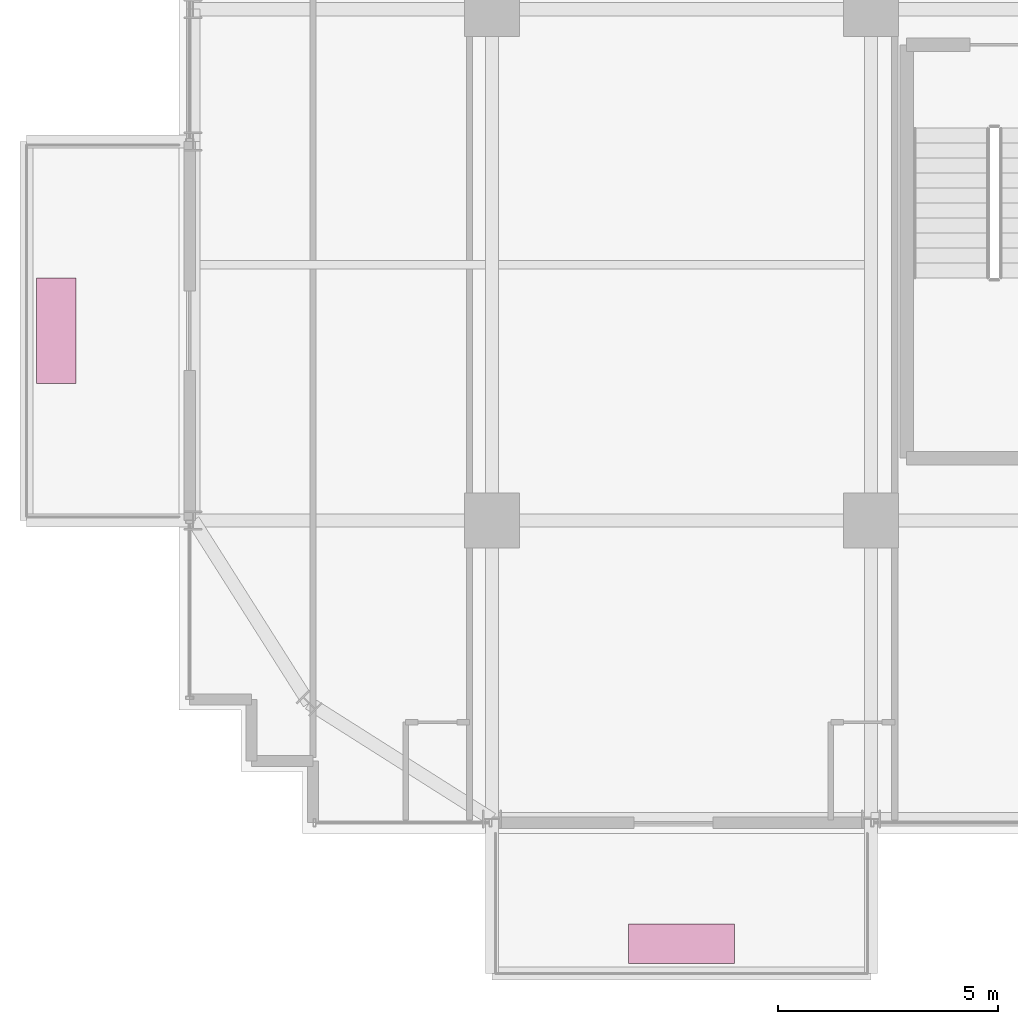
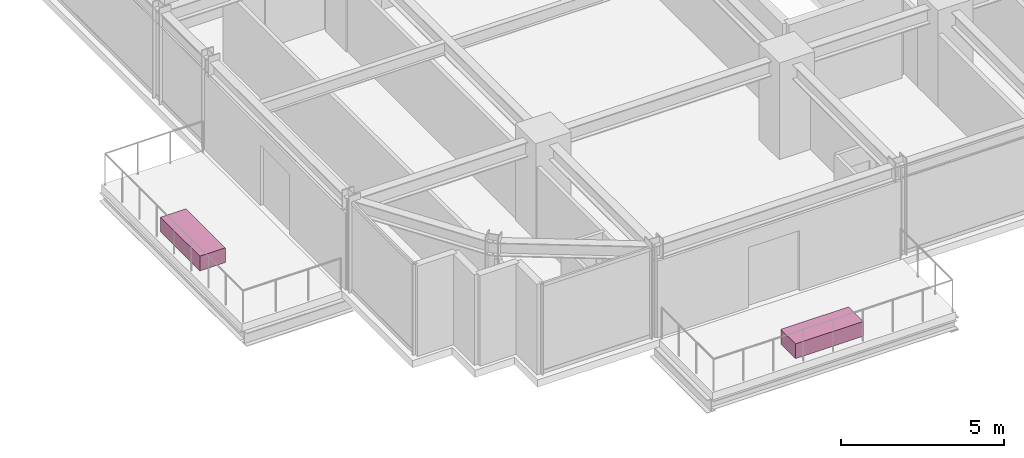
# One storey, part 32 of 32: 2 furnishings.
"""IFC4 building model written with IfcOpenShell, lengths in metres."""

from ifc_helpers import new_model, si_unit, direction, frame, origin, origin_2d, place, context, subcontext, project, spatial, rectangle, extrude, source, transform, mapped, material, type_object, element, save


model = new_model("IFC4")

# Units and contexts
model_context = context("Model", 3, precision=1e-05, world=origin(), true_north=direction((0.0, 1.0)))
body_context = subcontext(model_context, "Body", "Model", "MODEL_VIEW")
ifc_project = project(units=[si_unit("LENGTHUNIT", "METRE"), si_unit("AREAUNIT", "SQUARE_METRE"), si_unit("VOLUMEUNIT", "CUBIC_METRE"), si_unit("PLANEANGLEUNIT", "RADIAN"), si_unit("MASSUNIT", "GRAM", prefix="KILO")], contexts=[model_context])

# Site, building, storey
site_placement = place(None, origin())
site = spatial("IfcSite", under=ifc_project, at=site_placement, CompositionType="ELEMENT")
building_placement = place(site_placement, origin())
building = spatial("IfcBuilding", under=site, at=building_placement, Name="Nahalor Promenade Grand Hotel", CompositionType="ELEMENT")
storey_placement = place(building_placement, frame((0.0, 0.0, 110.199951171875)))
storey = spatial("IfcBuildingStorey", under=building, at=storey_placement, Name="L27", CompositionType="ELEMENT", Elevation=110.199951171875)

# Furnishings
ifc_material = material(Name="Vegetated Volcanic-Lapilli Tree Planter", Category="earth")
furnishing_element_type = type_object("IfcFurnishingElementType", Name="Planter-VerticalForest-Box", material=ifc_material)
shared_shape = source(origin(), body_context, "Body", "SweptSolid", [
    extrude(rectangle(XDim=2.39990234375, YDim=0.89990234375, at=origin_2d()), origin(), (0.0, 0.0, 1.0), 0.550048828125),
])
for number, where, z_axis, x_axis, name in (
    (1, (-12.699951171875, -26.610107421875, 0.0), (0.0, 0.0, 1.0), (1.0, 0.0, 0.0), "L27 Balcony Structural Tree Planter 1"),
    (2, (-26.889892578125, -12.699951171875, 0.0), (0.0, 0.0, 1.0), (0.0, 1.0, 0.0), "L27 Balcony Structural Tree Planter 2"),
):
    element("IfcFurnishingElement", number, at=place(storey_placement, frame(where, z_axis=z_axis, x_axis=x_axis)), inside=storey, type_object=furnishing_element_type, Name=name, ObjectType="PLANTER", context=body_context, shape_type="MappedRepresentation", body=[
        mapped(shared_shape, transform((0.0, 0.0, 0.0), scale=1.0)),
    ])

save(model, "model.ifc")
